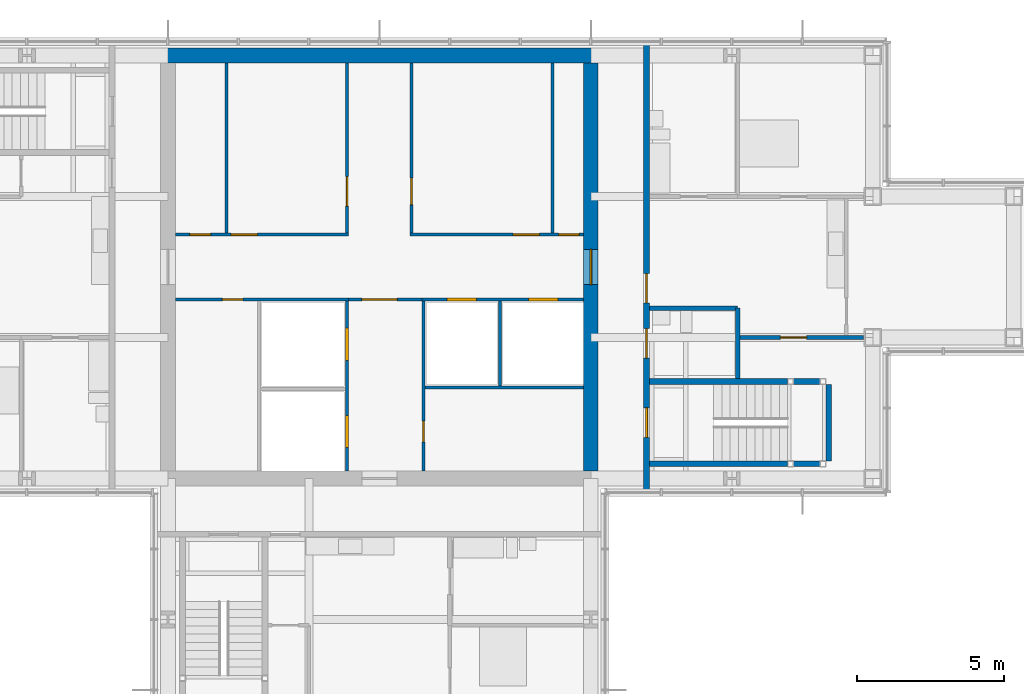
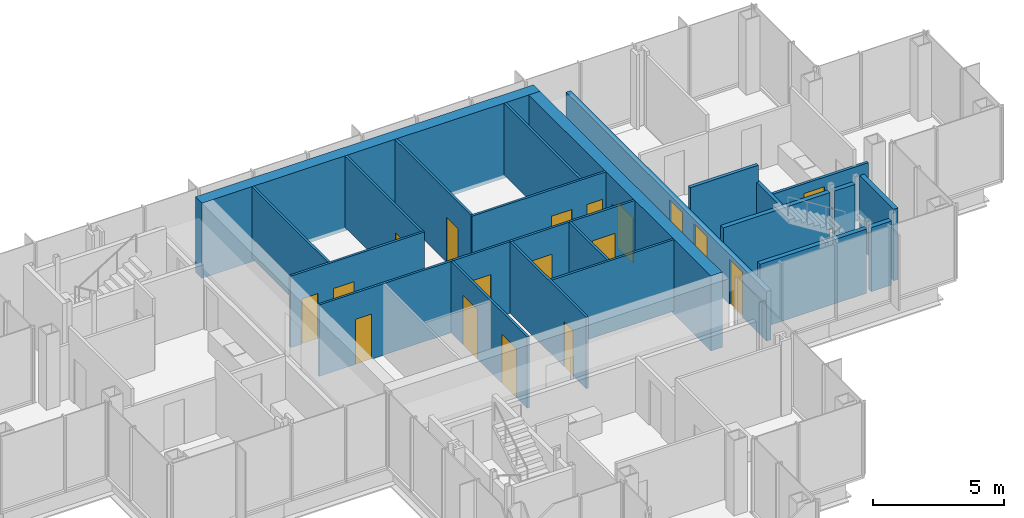
# One storey, part 11 of 15: 24 walls, 18 doors, 18 openings.
"""IFC4 building model written with IfcOpenShell, lengths in metres."""

from ifc_helpers import new_model, si_unit, direction, frame, frame_2d, origin, place, context, subcontext, project, spatial, rectangle, extrude, material, layer, layer_set, type_object, element, fill, save


model = new_model("IFC4")

# Units and contexts
model_context = context("Model", 3, precision=1e-05, world=origin(), true_north=direction((0.0, 1.0)))
body_context = subcontext(model_context, "Body", "Model", "MODEL_VIEW")
ifc_project = project(units=[si_unit("LENGTHUNIT", "METRE"), si_unit("AREAUNIT", "SQUARE_METRE"), si_unit("VOLUMEUNIT", "CUBIC_METRE"), si_unit("PLANEANGLEUNIT", "RADIAN"), si_unit("MASSUNIT", "GRAM", prefix="KILO")], contexts=[model_context])

# Site, building, storey
site_placement = place(None, origin())
site = spatial("IfcSite", under=ifc_project, at=site_placement, CompositionType="ELEMENT")
building_placement = place(site_placement, origin())
building = spatial("IfcBuilding", under=site, at=building_placement, Name="Kvirike Care Tower", CompositionType="ELEMENT")
storey_placement = place(building_placement, frame((0.0, 0.0, 198.0)))
storey = spatial("IfcBuildingStorey", under=building, at=storey_placement, Name="L54", CompositionType="ELEMENT", Elevation=198.0)

# Walls
ifc_material_1 = material(Name="Moisture-resistant board partition", Category="gypsum")
ifc_layer_1 = layer(ifc_material_1, 0.14990234375)
ifc_layer_set_1 = layer_set([ifc_layer_1], Name="BATHROOM WALL 150")
wall_type_1 = type_object("IfcWallType", Name="BATHROOM WALL 150", PredefinedType="PARTITIONING", material=ifc_layer_set_1)
wall_1_placement = place(storey_placement, frame((33.800048828125, 32.199951171875, 0.0), z_axis=(0.0, 0.0, 1.0), x_axis=(0.0, 1.0, 0.0)))
element("IfcWall", 1, at=wall_1_placement, inside=storey, type_object=wall_type_1, Name="Bathroom Wall 150 L54", PredefinedType="PARTITIONING", context=body_context, shape_type="SweptSolid", body=[
    extrude(rectangle(XDim=2.400146484375, YDim=0.14990234375, at=frame_2d((1.2001953125, 0.0))), origin(), (0.0, 0.0, 1.0), 2.550048828125),
])
wall_2_placement = place(storey_placement, frame((33.800048828125, 34.60009765625, 0.0), z_axis=(0.0, 0.0, 1.0), x_axis=(-1.0, 0.0, 0.0)))
element("IfcWall", 2, at=wall_2_placement, inside=storey, type_object=wall_type_1, Name="Bathroom Wall 150 L54", PredefinedType="PARTITIONING", context=body_context, shape_type="SweptSolid", body=[
    extrude(rectangle(XDim=3.0, YDim=0.14990234375, at=frame_2d((1.5, 0.0))), origin(), (0.0, 0.0, 1.0), 3.330078125),
])
ifc_material_2 = material(Name="Concrete C40/50", Category="concrete")
ifc_layer_2 = layer(ifc_material_2, 0.5)
ifc_layer_set_2 = layer_set([ifc_layer_2], Name="CORE WALL 500 C40-50")
wall_type_2 = type_object("IfcWallType", Name="CORE WALL 500 C40-50", PredefinedType="SHEAR", material=ifc_layer_set_2)
wall_3_placement = place(storey_placement, frame((29.050048828125, 43.199951171875, -0.169921875), z_axis=(0.0, 0.0, 1.0), x_axis=(-1.0, 0.0, 0.0)))
element("IfcWall", 3, at=wall_3_placement, inside=storey, type_object=wall_type_2, Name="Core wall N L54", PredefinedType="SHEAR", context=body_context, shape_type="SweptSolid", body=[
    extrude(rectangle(XDim=14.900146484375, YDim=0.5, at=frame_2d((7.4501953125, 0.0))), origin(), (0.0, 0.0, 1.0), 3.5),
])

# Wall, opening, door
wall_4_placement = place(storey_placement, frame((28.800048828125, 29.050048828125, -0.169921875), z_axis=(0.0, 0.0, 1.0), x_axis=(0.0, 1.0, 0.0)))
wall_4 = element("IfcWall", 4, at=wall_4_placement, inside=storey, type_object=wall_type_2, Name="Core wall E L54", PredefinedType="SHEAR", context=body_context, shape_type="SweptSolid", body=[
    extrude(rectangle(XDim=13.89990234375, YDim=0.5, at=frame_2d((6.949951171875, 0.0))), origin(), (0.0, 0.0, 1.0), 3.5),
])
opening_1_placement = place(wall_4_placement, frame((6.35009765625, 0.0, 0.169921875)))
opening_1 = element("IfcOpeningElement", 5, at=opening_1_placement, cuts=wall_4, Name="Opening 54-035", PredefinedType="OPENING", context=body_context, shape_type="SweptSolid", body=[
    extrude(rectangle(XDim=1.199951171875, YDim=2.10009765625, at=frame_2d((0.60009765625, 1.050048828125))), frame((0.0, 0.260498046875, 0.0), z_axis=(0.0, -1.0, 0.0), x_axis=(1.0, 0.0, 0.0)), (0.0, 0.0, 1.0), 0.52099609375),
])
ifc_material_3 = material(Name="Timber door set", Category="wood")
door_type_1 = type_object("IfcDoorType", Name="CORE DOOR 1200", OperationType="SINGLE_SWING_LEFT", PredefinedType="DOOR", material=ifc_material_3)
door_1_placement = place(opening_1_placement, origin())
door_1 = element("IfcDoor", 6, at=door_1_placement, inside=storey, type_object=door_type_1, Name="Core door E L54", OperationType="SINGLE_SWING_LEFT", OverallHeight=2.10009765625, OverallWidth=1.199951171875, PredefinedType="DOOR", context=body_context, shape_type="SweptSolid", body=[
    extrude(rectangle(XDim=1.199951171875, YDim=2.10009765625, at=frame_2d((0.60009765625, 1.050048828125))), frame((0.0, 0.02685546875, 0.0), z_axis=(0.0, -1.0, 0.0), x_axis=(1.0, 0.0, 0.0)), (0.0, 0.0, 1.0), 0.053955078125),
])
fill(opening_1, door_1)

# Wall, openings, doors
ifc_material_4 = material(Name="Plasterboard corridor wall", Category="gypsum")
ifc_layer_3 = layer(ifc_material_4, 0.199951171875)
ifc_layer_set_3 = layer_set([ifc_layer_3], Name="CORRIDOR WALL 200")
wall_type_3 = type_object("IfcWallType", Name="CORRIDOR WALL 200", PredefinedType="PARTITIONING", material=ifc_layer_set_3)
wall_5_placement = place(storey_placement, frame((30.699951171875, 28.344970703125, 0.0), z_axis=(0.0, 0.0, 1.0), x_axis=(0.0, 1.0, 0.0)))
wall_5 = element("IfcWall", 7, at=wall_5_placement, inside=storey, type_object=wall_type_3, Name="Corridor Wall 200 L54", PredefinedType="PARTITIONING", context=body_context, shape_type="SweptSolid", body=[
    extrude(rectangle(XDim=15.31005859375, YDim=0.199951171875, at=frame_2d((7.655029296875, 0.0))), origin(), (0.0, 0.0, 1.0), 2.320068359375),
])
opening_2_placement = place(wall_5_placement, frame((1.85498046875, 0.0, 0.0)))
opening_2 = element("IfcOpeningElement", 8, at=opening_2_placement, cuts=wall_5, Name="Opening 54-017", PredefinedType="OPENING", context=body_context, shape_type="SweptSolid", body=[
    extrude(rectangle(XDim=1.0, YDim=2.10009765625, at=frame_2d((0.5, 1.050048828125))), frame((0.0, 0.110595703125, 0.0), z_axis=(0.0, -1.0, 0.0), x_axis=(1.0, 0.0, 0.0)), (0.0, 0.0, 1.0), 0.220947265625),
])
opening_3_placement = place(wall_5_placement, frame((4.554931640625, 0.0, 0.0)))
opening_3 = element("IfcOpeningElement", 9, at=opening_3_placement, cuts=wall_5, Name="Opening 54-018", PredefinedType="OPENING", context=body_context, shape_type="SweptSolid", body=[
    extrude(rectangle(XDim=1.0, YDim=2.10009765625, at=frame_2d((0.5, 1.050048828125))), frame((0.0, 0.110595703125, 0.0), z_axis=(0.0, -1.0, 0.0), x_axis=(1.0, 0.0, 0.0)), (0.0, 0.0, 1.0), 0.220947265625),
])
opening_4_placement = place(wall_5_placement, frame((6.429931640625, 0.0, 0.0)))
opening_4 = element("IfcOpeningElement", 10, at=opening_4_placement, cuts=wall_5, Name="Opening 54-019", PredefinedType="OPENING", context=body_context, shape_type="SweptSolid", body=[
    extrude(rectangle(XDim=1.0, YDim=2.10009765625, at=frame_2d((0.5, 1.050048828125))), frame((0.0, 0.110595703125, 0.0), z_axis=(0.0, -1.0, 0.0), x_axis=(1.0, 0.0, 0.0)), (0.0, 0.0, 1.0), 0.220947265625),
])
ifc_material_5 = material(Name="Timber door set", Category="wood")
door_type_2 = type_object("IfcDoorType", Name="FLAT ENTRANCE DOOR 1000", OperationType="SINGLE_SWING_LEFT", PredefinedType="DOOR", material=ifc_material_5)
door_2_placement = place(opening_4_placement, frame((1.0, 0.0, 0.0), z_axis=(0.0, 0.0, 1.0), x_axis=(-1.0, 0.0, 0.0)))
door_2 = element("IfcDoor", 11, at=door_2_placement, inside=storey, type_object=door_type_2, Name="Two-room apartment entrance", OperationType="SINGLE_SWING_LEFT", OverallHeight=2.10009765625, OverallWidth=1.0, PredefinedType="DOOR", context=body_context, shape_type="SweptSolid", body=[
    extrude(rectangle(XDim=1.0, YDim=2.10009765625, at=frame_2d((0.5, 1.050048828125))), frame((0.0, 0.02685546875, 0.0), z_axis=(0.0, -1.0, 0.0), x_axis=(1.0, 0.0, 0.0)), (0.0, 0.0, 1.0), 0.053955078125),
])
fill(opening_4, door_2)
ifc_material_6 = material(Name="Timber door set", Category="wood")
door_type_3 = type_object("IfcDoorType", Name="STAIR DOOR 1000", OperationType="SINGLE_SWING_LEFT", PredefinedType="DOOR", material=ifc_material_6)
door_3_placement = place(opening_2_placement, frame((1.0, 0.0, 0.0), z_axis=(0.0, 0.0, 1.0), x_axis=(-1.0, 0.0, 0.0)))
door_3 = element("IfcDoor", 12, at=door_3_placement, inside=storey, type_object=door_type_3, Name="Stair 2 door", OperationType="SINGLE_SWING_LEFT", OverallHeight=2.10009765625, OverallWidth=1.0, PredefinedType="DOOR", context=body_context, shape_type="SweptSolid", body=[
    extrude(rectangle(XDim=1.0, YDim=2.10009765625, at=frame_2d((0.5, 1.050048828125))), frame((0.0, 0.031982421875, 0.0), z_axis=(0.0, -1.0, 0.0), x_axis=(1.0, 0.0, 0.0)), (0.0, 0.0, 1.0), 0.06396484375),
])
fill(opening_2, door_3)
ifc_material_7 = material(Name="Timber door set", Category="wood")
door_type_4 = type_object("IfcDoorType", Name="WC DOOR 1000", OperationType="SINGLE_SWING_LEFT", PredefinedType="DOOR", material=ifc_material_7)
door_4_placement = place(opening_3_placement, frame((1.0, 0.0, 0.0), z_axis=(0.0, 0.0, 1.0), x_axis=(-1.0, 0.0, 0.0)))
door_4 = element("IfcDoor", 13, at=door_4_placement, inside=storey, type_object=door_type_4, Name="Accessible WC door", OperationType="SINGLE_SWING_LEFT", OverallHeight=2.10009765625, OverallWidth=1.0, PredefinedType="DOOR", context=body_context, shape_type="SweptSolid", body=[
    extrude(rectangle(XDim=1.0, YDim=2.10009765625, at=frame_2d((0.5, 1.050048828125))), frame((0.0, 0.02685546875, 0.0), z_axis=(0.0, -1.0, 0.0), x_axis=(1.0, 0.0, 0.0)), (0.0, 0.0, 1.0), 0.053955078125),
])
fill(opening_3, door_4)

# Wall, opening, door
ifc_material_8 = material(Name="Plasterboard partition", Category="gypsum")
ifc_layer_4 = layer(ifc_material_8, 0.1201171875)
ifc_layer_set_4 = layer_set([ifc_layer_4], Name="PARTITION 120")
wall_type_4 = type_object("IfcWallType", Name="PARTITION 120", PredefinedType="PARTITIONING", material=ifc_layer_set_4)
wall_6_placement = place(storey_placement, frame((38.080078125, 33.60009765625, 0.0), z_axis=(0.0, 0.0, 1.0), x_axis=(-1.0, 0.0, 0.0)))
wall_6 = element("IfcWall", 14, at=wall_6_placement, inside=storey, type_object=wall_type_4, Name="Partition 120 L54", PredefinedType="PARTITIONING", context=body_context, shape_type="SweptSolid", body=[
    extrude(rectangle(XDim=4.280029296875, YDim=0.1201171875, at=frame_2d((2.14013671875, 0.0))), origin(), (0.0, 0.0, 1.0), 2.550048828125),
])
opening_5_placement = place(wall_6_placement, frame((1.929931640625, 0.0, 0.0)))
opening_5 = element("IfcOpeningElement", 15, at=opening_5_placement, cuts=wall_6, Name="Opening 54-015", PredefinedType="OPENING", context=body_context, shape_type="SweptSolid", body=[
    extrude(rectangle(XDim=0.89990234375, YDim=2.10009765625, at=frame_2d((0.449951171875, 1.050048828125))), frame((0.0, 0.070556640625, 0.0), z_axis=(0.0, -1.0, 0.0), x_axis=(1.0, 0.0, 0.0)), (0.0, 0.0, 1.0), 0.14111328125),
])
ifc_material_9 = material(Name="Timber door set", Category="wood")
door_type_5 = type_object("IfcDoorType", Name="INTERNAL DOOR 900", OperationType="SINGLE_SWING_LEFT", PredefinedType="DOOR", material=ifc_material_9)
door_5_placement = place(opening_5_placement, origin())
door_5 = element("IfcDoor", 16, at=door_5_placement, inside=storey, type_object=door_type_5, Name="Connecting door", OperationType="SINGLE_SWING_LEFT", OverallHeight=2.10009765625, OverallWidth=0.89990234375, PredefinedType="DOOR", context=body_context, shape_type="SweptSolid", body=[
    extrude(rectangle(XDim=0.89990234375, YDim=2.10009765625, at=frame_2d((0.449951171875, 1.050048828125))), frame((0.0, 0.02197265625, 0.0), z_axis=(0.0, -1.0, 0.0), x_axis=(1.0, 0.0, 0.0)), (0.0, 0.0, 1.0), 0.0439453125),
])
fill(opening_5, door_5)

# Walls
ifc_material_10 = material(Name="Gypsum shaft wall system", Category="gypsum")
ifc_layer_5 = layer(ifc_material_10, 0.10009765625)
ifc_layer_set_5 = layer_set([ifc_layer_5], Name="SHAFT WALL 100")
wall_type_5 = type_object("IfcWallType", Name="SHAFT WALL 100", PredefinedType="SOLIDWALL", material=ifc_layer_set_5)
for number, where, z_axis, x_axis, name in (
    (17, (16.39990234375, 37.14990234375, 0.0), (0.0, 0.0, 1.0), (0.0, 1.0, 0.0), "Shaft Wall 100 L54"),
    (18, (27.5, 37.14990234375, 0.0), (0.0, 0.0, 1.0), (0.0, 1.0, 0.0), "Shaft Wall 100 L54"),
):
    element("IfcWall", number, at=place(storey_placement, frame(where, z_axis=z_axis, x_axis=x_axis)), inside=storey, type_object=wall_type_5, Name=name, PredefinedType="SOLIDWALL", context=body_context, shape_type="SweptSolid", body=[
        extrude(rectangle(XDim=5.800048828125, YDim=0.10009765625, at=frame_2d((2.89990234375, 0.0))), origin(), (0.0, 0.0, 1.0), 3.330078125),
    ])

# Wall, openings, doors
wall_7_placement = place(storey_placement, frame((20.5, 29.050048828125, 0.0), z_axis=(0.0, 0.0, 1.0), x_axis=(0.0, 1.0, 0.0)))
wall_7 = element("IfcWall", 19, at=wall_7_placement, inside=storey, type_object=wall_type_5, Name="Shaft Wall 100 L54", PredefinedType="SOLIDWALL", context=body_context, shape_type="SweptSolid", body=[
    extrude(rectangle(XDim=5.800048828125, YDim=0.10009765625, at=frame_2d((2.89990234375, 0.0))), origin(), (0.0, 0.0, 1.0), 3.330078125),
])
opening_6_placement = place(wall_7_placement, frame((0.800048828125, 0.0, 0.0)))
opening_6 = element("IfcOpeningElement", 20, at=opening_6_placement, cuts=wall_7, Name="Opening 54-020", PredefinedType="OPENING", context=body_context, shape_type="SweptSolid", body=[
    extrude(rectangle(XDim=1.10009765625, YDim=2.300048828125, at=frame_2d((0.550048828125, 1.14990234375))), frame((0.0, 0.060546875, 0.0), z_axis=(0.0, -1.0, 0.0), x_axis=(1.0, 0.0, 0.0)), (0.0, 0.0, 1.0), 0.12109375),
])
opening_7_placement = place(wall_7_placement, frame((3.77490234375, 0.0, 0.0)))
opening_7 = element("IfcOpeningElement", 21, at=opening_7_placement, cuts=wall_7, Name="Opening 54-021", PredefinedType="OPENING", context=body_context, shape_type="SweptSolid", body=[
    extrude(rectangle(XDim=1.10009765625, YDim=2.300048828125, at=frame_2d((0.550048828125, 1.14990234375))), frame((0.0, 0.060546875, 0.0), z_axis=(0.0, -1.0, 0.0), x_axis=(1.0, 0.0, 0.0)), (0.0, 0.0, 1.0), 0.12109375),
])
ifc_material_11 = material(Name="Aluminium door frame", Category="aluminium")
door_type_6 = type_object("IfcDoorType", Name="FIRE-FIGHTING LIFT LANDING DOOR 1100", OperationType="SLIDING_TO_LEFT", PredefinedType="DOOR", material=ifc_material_11)
door_6_placement = place(opening_6_placement, origin())
door_6 = element("IfcDoor", 22, at=door_6_placement, inside=storey, type_object=door_type_6, Name="Lift FF1 landing door", OperationType="SLIDING_TO_LEFT", OverallHeight=2.300048828125, OverallWidth=1.10009765625, PredefinedType="DOOR", context=body_context, shape_type="SweptSolid", body=[
    extrude(rectangle(XDim=1.10009765625, YDim=2.300048828125, at=frame_2d((0.550048828125, 1.14990234375))), frame((0.0, 0.0498046875, 0.0), z_axis=(0.0, -1.0, 0.0), x_axis=(1.0, 0.0, 0.0)), (0.0, 0.0, 1.0), 0.099609375),
])
fill(opening_6, door_6)
door_7_placement = place(opening_7_placement, origin())
door_7 = element("IfcDoor", 23, at=door_7_placement, inside=storey, type_object=door_type_6, Name="Lift FF2 landing door", OperationType="SLIDING_TO_LEFT", OverallHeight=2.300048828125, OverallWidth=1.10009765625, PredefinedType="DOOR", context=body_context, shape_type="SweptSolid", body=[
    extrude(rectangle(XDim=1.10009765625, YDim=2.300048828125, at=frame_2d((0.550048828125, 1.14990234375))), frame((0.0, 0.0498046875, 0.0), z_axis=(0.0, -1.0, 0.0), x_axis=(1.0, 0.0, 0.0)), (0.0, 0.0, 1.0), 0.099609375),
])
fill(opening_7, door_7)

# Wall, opening, door
wall_8_placement = place(storey_placement, frame((20.5, 37.14990234375, 0.0), z_axis=(0.0, 0.0, 1.0), x_axis=(0.0, 1.0, 0.0)))
wall_8 = element("IfcWall", 24, at=wall_8_placement, inside=storey, type_object=wall_type_5, Name="Shaft Wall 100 L54", PredefinedType="SOLIDWALL", context=body_context, shape_type="SweptSolid", body=[
    extrude(rectangle(XDim=5.800048828125, YDim=0.10009765625, at=frame_2d((2.89990234375, 0.0))), origin(), (0.0, 0.0, 1.0), 3.330078125),
])
opening_8_placement = place(wall_8_placement, frame((0.925048828125, 0.0, 0.0)))
opening_8 = element("IfcOpeningElement", 25, at=opening_8_placement, cuts=wall_8, Name="Opening 54-022", PredefinedType="OPENING", context=body_context, shape_type="SweptSolid", body=[
    extrude(rectangle(XDim=1.0, YDim=2.10009765625, at=frame_2d((0.5, 1.050048828125))), frame((0.0, 0.060546875, 0.0), z_axis=(0.0, -1.0, 0.0), x_axis=(1.0, 0.0, 0.0)), (0.0, 0.0, 1.0), 0.12109375),
])
door_8_placement = place(opening_8_placement, origin())
door_8 = element("IfcDoor", 26, at=door_8_placement, inside=storey, type_object=door_type_4, Name="Staff WC door", OperationType="SINGLE_SWING_RIGHT", OverallHeight=2.10009765625, OverallWidth=1.0, PredefinedType="DOOR", context=body_context, shape_type="SweptSolid", body=[
    extrude(rectangle(XDim=1.0, YDim=2.10009765625, at=frame_2d((0.5, 1.050048828125))), frame((0.0, 0.02685546875, 0.0), z_axis=(0.0, -1.0, 0.0), x_axis=(1.0, 0.0, 0.0)), (0.0, 0.0, 1.0), 0.053955078125),
])
fill(opening_8, door_8)

wall_9_placement = place(storey_placement, frame((22.699951171875, 37.14990234375, 0.0), z_axis=(0.0, 0.0, 1.0), x_axis=(0.0, 1.0, 0.0)))
wall_9 = element("IfcWall", 27, at=wall_9_placement, inside=storey, type_object=wall_type_5, Name="Shaft Wall 100 L54", PredefinedType="SOLIDWALL", context=body_context, shape_type="SweptSolid", body=[
    extrude(rectangle(XDim=5.800048828125, YDim=0.10009765625, at=frame_2d((2.89990234375, 0.0))), origin(), (0.0, 0.0, 1.0), 3.330078125),
])
opening_9_placement = place(wall_9_placement, frame((0.97509765625, 0.0, 0.0)))
opening_9 = element("IfcOpeningElement", 28, at=opening_9_placement, cuts=wall_9, Name="Opening 54-023", PredefinedType="OPENING", context=body_context, shape_type="SweptSolid", body=[
    extrude(rectangle(XDim=0.89990234375, YDim=2.10009765625, at=frame_2d((0.449951171875, 1.050048828125))), frame((0.0, 0.060546875, 0.0), z_axis=(0.0, -1.0, 0.0), x_axis=(1.0, 0.0, 0.0)), (0.0, 0.0, 1.0), 0.12109375),
])
ifc_material_12 = material(Name="Timber door set", Category="wood")
door_type_7 = type_object("IfcDoorType", Name="STORE DOOR 900", OperationType="SINGLE_SWING_LEFT", PredefinedType="DOOR", material=ifc_material_12)
door_9_placement = place(opening_9_placement, frame((0.89990234375, 0.0, 0.0), z_axis=(0.0, 0.0, 1.0), x_axis=(-1.0, 0.0, 0.0)))
door_9 = element("IfcDoor", 29, at=door_9_placement, inside=storey, type_object=door_type_7, Name="Housekeeping office door", OperationType="SINGLE_SWING_LEFT", OverallHeight=2.10009765625, OverallWidth=0.89990234375, PredefinedType="DOOR", context=body_context, shape_type="SweptSolid", body=[
    extrude(rectangle(XDim=0.89990234375, YDim=2.10009765625, at=frame_2d((0.449951171875, 1.050048828125))), frame((0.0, 0.02685546875, 0.0), z_axis=(0.0, -1.0, 0.0), x_axis=(1.0, 0.0, 0.0)), (0.0, 0.0, 1.0), 0.053955078125),
])
fill(opening_9, door_9)

wall_10_placement = place(storey_placement, frame((23.10009765625, 29.050048828125, 0.0), z_axis=(0.0, 0.0, 1.0), x_axis=(0.0, 1.0, 0.0)))
wall_10 = element("IfcWall", 30, at=wall_10_placement, inside=storey, type_object=wall_type_5, Name="Shaft Wall 100 L54", PredefinedType="SOLIDWALL", context=body_context, shape_type="SweptSolid", body=[
    extrude(rectangle(XDim=5.800048828125, YDim=0.10009765625, at=frame_2d((2.89990234375, 0.0))), origin(), (0.0, 0.0, 1.0), 3.330078125),
])
opening_10_placement = place(wall_10_placement, frame((1.0, 0.0, 0.0)))
opening_10 = element("IfcOpeningElement", 31, at=opening_10_placement, cuts=wall_10, Name="Opening 54-024", PredefinedType="OPENING", context=body_context, shape_type="SweptSolid", body=[
    extrude(rectangle(XDim=0.699951171875, YDim=2.10009765625, at=frame_2d((0.35009765625, 1.050048828125))), frame((0.0, 0.060546875, 0.0), z_axis=(0.0, -1.0, 0.0), x_axis=(1.0, 0.0, 0.0)), (0.0, 0.0, 1.0), 0.12109375),
])
ifc_material_13 = material(Name="Timber door set", Category="wood")
door_type_8 = type_object("IfcDoorType", Name="RISER DOOR 700", OperationType="SINGLE_SWING_LEFT", PredefinedType="DOOR", material=ifc_material_13)
door_10_placement = place(opening_10_placement, origin())
door_10 = element("IfcDoor", 32, at=door_10_placement, inside=storey, type_object=door_type_8, Name="Riser door", OperationType="SINGLE_SWING_RIGHT", OverallHeight=2.10009765625, OverallWidth=0.699951171875, PredefinedType="DOOR", context=body_context, shape_type="SweptSolid", body=[
    extrude(rectangle(XDim=0.699951171875, YDim=2.10009765625, at=frame_2d((0.35009765625, 1.050048828125))), frame((0.0, 0.02685546875, 0.0), z_axis=(0.0, -1.0, 0.0), x_axis=(1.0, 0.0, 0.0)), (0.0, 0.0, 1.0), 0.053955078125),
])
fill(opening_10, door_10)

wall_11_placement = place(storey_placement, frame((14.64990234375, 34.89990234375, 0.0), z_axis=(0.0, 0.0, 1.0), x_axis=(1.0, 0.0, 0.0)))
wall_11 = element("IfcWall", 33, at=wall_11_placement, inside=storey, type_object=wall_type_5, Name="Shaft Wall 100 L54", PredefinedType="SOLIDWALL", context=body_context, shape_type="SweptSolid", body=[
    extrude(rectangle(XDim=5.900146484375, YDim=0.10009765625, at=frame_2d((2.9501953125, 0.0))), origin(), (0.0, 0.0, 1.0), 3.330078125),
])
opening_11_placement = place(wall_11_placement, frame((1.60009765625, 0.0, 0.0)))
opening_11 = element("IfcOpeningElement", 34, at=opening_11_placement, cuts=wall_11, Name="Opening 54-025", PredefinedType="OPENING", context=body_context, shape_type="SweptSolid", body=[
    extrude(rectangle(XDim=0.699951171875, YDim=2.10009765625, at=frame_2d((0.35009765625, 1.050048828125))), frame((0.0, 0.060546875, 0.0), z_axis=(0.0, -1.0, 0.0), x_axis=(1.0, 0.0, 0.0)), (0.0, 0.0, 1.0), 0.12109375),
])
door_11_placement = place(opening_11_placement, frame((0.699951171875, 0.0, 0.0), z_axis=(0.0, 0.0, 1.0), x_axis=(-1.0, 0.0, 0.0)))
door_11 = element("IfcDoor", 35, at=door_11_placement, inside=storey, type_object=door_type_8, Name="Riser door", OperationType="SINGLE_SWING_RIGHT", OverallHeight=2.10009765625, OverallWidth=0.699951171875, PredefinedType="DOOR", context=body_context, shape_type="SweptSolid", body=[
    extrude(rectangle(XDim=0.699951171875, YDim=2.10009765625, at=frame_2d((0.35009765625, 1.050048828125))), frame((0.0, 0.02685546875, 0.0), z_axis=(0.0, -1.0, 0.0), x_axis=(1.0, 0.0, 0.0)), (0.0, 0.0, 1.0), 0.053955078125),
])
fill(opening_11, door_11)

# Wall, openings, doors
wall_12_placement = place(storey_placement, frame((23.050048828125, 34.89990234375, 0.0), z_axis=(0.0, 0.0, 1.0), x_axis=(1.0, 0.0, 0.0)))
wall_12 = element("IfcWall", 36, at=wall_12_placement, inside=storey, type_object=wall_type_5, Name="Shaft Wall 100 L54", PredefinedType="SOLIDWALL", context=body_context, shape_type="SweptSolid", body=[
    extrude(rectangle(XDim=5.5, YDim=0.10009765625, at=frame_2d((2.75, 0.0))), origin(), (0.0, 0.0, 1.0), 3.330078125),
])
opening_12_placement = place(wall_12_placement, frame((0.85009765625, 0.0, 0.0)))
opening_12 = element("IfcOpeningElement", 37, at=opening_12_placement, cuts=wall_12, Name="Opening 54-026", PredefinedType="OPENING", context=body_context, shape_type="SweptSolid", body=[
    extrude(rectangle(XDim=1.0, YDim=2.10009765625, at=frame_2d((0.5, 1.050048828125))), frame((0.0, 0.060546875, 0.0), z_axis=(0.0, -1.0, 0.0), x_axis=(1.0, 0.0, 0.0)), (0.0, 0.0, 1.0), 0.12109375),
])
opening_13_placement = place(wall_12_placement, frame((3.625, 0.0, 0.0)))
opening_13 = element("IfcOpeningElement", 38, at=opening_13_placement, cuts=wall_12, Name="Opening 54-027", PredefinedType="OPENING", context=body_context, shape_type="SweptSolid", body=[
    extrude(rectangle(XDim=1.0, YDim=2.10009765625, at=frame_2d((0.5, 1.050048828125))), frame((0.0, 0.060546875, 0.0), z_axis=(0.0, -1.0, 0.0), x_axis=(1.0, 0.0, 0.0)), (0.0, 0.0, 1.0), 0.12109375),
])
ifc_material_14 = material(Name="Aluminium door frame", Category="aluminium")
door_type_9 = type_object("IfcDoorType", Name="LIFT LANDING DOOR 1000", OperationType="SLIDING_TO_LEFT", PredefinedType="DOOR", material=ifc_material_14)
door_12_placement = place(opening_12_placement, origin())
door_12 = element("IfcDoor", 39, at=door_12_placement, inside=storey, type_object=door_type_9, Name="Lift P5 landing door", OperationType="SLIDING_TO_LEFT", OverallHeight=2.10009765625, OverallWidth=1.0, PredefinedType="DOOR", context=body_context, shape_type="SweptSolid", body=[
    extrude(rectangle(XDim=1.0, YDim=2.10009765625, at=frame_2d((0.5, 1.050048828125))), frame((0.0, 0.0498046875, 0.0), z_axis=(0.0, -1.0, 0.0), x_axis=(1.0, 0.0, 0.0)), (0.0, 0.0, 1.0), 0.099609375),
])
fill(opening_12, door_12)
door_13_placement = place(opening_13_placement, origin())
door_13 = element("IfcDoor", 40, at=door_13_placement, inside=storey, type_object=door_type_9, Name="Lift P6 landing door", OperationType="SLIDING_TO_LEFT", OverallHeight=2.10009765625, OverallWidth=1.0, PredefinedType="DOOR", context=body_context, shape_type="SweptSolid", body=[
    extrude(rectangle(XDim=1.0, YDim=2.10009765625, at=frame_2d((0.5, 1.050048828125))), frame((0.0, 0.0498046875, 0.0), z_axis=(0.0, -1.0, 0.0), x_axis=(1.0, 0.0, 0.0)), (0.0, 0.0, 1.0), 0.099609375),
])
fill(opening_13, door_13)

wall_13_placement = place(storey_placement, frame((14.64990234375, 37.10009765625, 0.0), z_axis=(0.0, 0.0, 1.0), x_axis=(1.0, 0.0, 0.0)))
wall_13 = element("IfcWall", 41, at=wall_13_placement, inside=storey, type_object=wall_type_5, Name="Shaft Wall 100 L54", PredefinedType="SOLIDWALL", context=body_context, shape_type="SweptSolid", body=[
    extrude(rectangle(XDim=5.900146484375, YDim=0.10009765625, at=frame_2d((2.9501953125, 0.0))), origin(), (0.0, 0.0, 1.0), 3.330078125),
])
opening_14_placement = place(wall_13_placement, frame((0.5, 0.0, 0.0)))
opening_14 = element("IfcOpeningElement", 42, at=opening_14_placement, cuts=wall_13, Name="Opening 54-028", PredefinedType="OPENING", context=body_context, shape_type="SweptSolid", body=[
    extrude(rectangle(XDim=0.699951171875, YDim=2.10009765625, at=frame_2d((0.35009765625, 1.050048828125))), frame((0.0, 0.060546875, 0.0), z_axis=(0.0, -1.0, 0.0), x_axis=(1.0, 0.0, 0.0)), (0.0, 0.0, 1.0), 0.12109375),
])
opening_15_placement = place(wall_13_placement, frame((1.89990234375, 0.0, 0.0)))
opening_15 = element("IfcOpeningElement", 43, at=opening_15_placement, cuts=wall_13, Name="Opening 54-029", PredefinedType="OPENING", context=body_context, shape_type="SweptSolid", body=[
    extrude(rectangle(XDim=0.89990234375, YDim=2.10009765625, at=frame_2d((0.449951171875, 1.050048828125))), frame((0.0, 0.060546875, 0.0), z_axis=(0.0, -1.0, 0.0), x_axis=(1.0, 0.0, 0.0)), (0.0, 0.0, 1.0), 0.12109375),
])
door_14_placement = place(opening_14_placement, origin())
door_14 = element("IfcDoor", 44, at=door_14_placement, inside=storey, type_object=door_type_8, Name="Riser door", OperationType="SINGLE_SWING_RIGHT", OverallHeight=2.10009765625, OverallWidth=0.699951171875, PredefinedType="DOOR", context=body_context, shape_type="SweptSolid", body=[
    extrude(rectangle(XDim=0.699951171875, YDim=2.10009765625, at=frame_2d((0.35009765625, 1.050048828125))), frame((0.0, 0.02685546875, 0.0), z_axis=(0.0, -1.0, 0.0), x_axis=(1.0, 0.0, 0.0)), (0.0, 0.0, 1.0), 0.053955078125),
])
fill(opening_14, door_14)
door_15_placement = place(opening_15_placement, origin())
door_15 = element("IfcDoor", 45, at=door_15_placement, inside=storey, type_object=door_type_7, Name="Staff changing room door", OperationType="SINGLE_SWING_RIGHT", OverallHeight=2.10009765625, OverallWidth=0.89990234375, PredefinedType="DOOR", context=body_context, shape_type="SweptSolid", body=[
    extrude(rectangle(XDim=0.89990234375, YDim=2.10009765625, at=frame_2d((0.449951171875, 1.050048828125))), frame((0.0, 0.02685546875, 0.0), z_axis=(0.0, -1.0, 0.0), x_axis=(1.0, 0.0, 0.0)), (0.0, 0.0, 1.0), 0.053955078125),
])
fill(opening_15, door_15)

wall_14_placement = place(storey_placement, frame((22.64990234375, 37.10009765625, 0.0), z_axis=(0.0, 0.0, 1.0), x_axis=(1.0, 0.0, 0.0)))
wall_14 = element("IfcWall", 46, at=wall_14_placement, inside=storey, type_object=wall_type_5, Name="Shaft Wall 100 L54", PredefinedType="SOLIDWALL", context=body_context, shape_type="SweptSolid", body=[
    extrude(rectangle(XDim=5.900146484375, YDim=0.10009765625, at=frame_2d((2.9501953125, 0.0))), origin(), (0.0, 0.0, 1.0), 3.330078125),
])
opening_16_placement = place(wall_14_placement, frame((3.5, 0.0, 0.0)))
opening_16 = element("IfcOpeningElement", 47, at=opening_16_placement, cuts=wall_14, Name="Opening 54-030", PredefinedType="OPENING", context=body_context, shape_type="SweptSolid", body=[
    extrude(rectangle(XDim=0.89990234375, YDim=2.10009765625, at=frame_2d((0.449951171875, 1.050048828125))), frame((0.0, 0.060546875, 0.0), z_axis=(0.0, -1.0, 0.0), x_axis=(1.0, 0.0, 0.0)), (0.0, 0.0, 1.0), 0.12109375),
])
opening_17_placement = place(wall_14_placement, frame((5.050048828125, 0.0, 0.0)))
opening_17 = element("IfcOpeningElement", 48, at=opening_17_placement, cuts=wall_14, Name="Opening 54-031", PredefinedType="OPENING", context=body_context, shape_type="SweptSolid", body=[
    extrude(rectangle(XDim=0.699951171875, YDim=2.10009765625, at=frame_2d((0.35009765625, 1.050048828125))), frame((0.0, 0.060546875, 0.0), z_axis=(0.0, -1.0, 0.0), x_axis=(1.0, 0.0, 0.0)), (0.0, 0.0, 1.0), 0.12109375),
])
door_16_placement = place(opening_17_placement, origin())
door_16 = element("IfcDoor", 49, at=door_16_placement, inside=storey, type_object=door_type_8, Name="Riser door", OperationType="SINGLE_SWING_LEFT", OverallHeight=2.10009765625, OverallWidth=0.699951171875, PredefinedType="DOOR", context=body_context, shape_type="SweptSolid", body=[
    extrude(rectangle(XDim=0.699951171875, YDim=2.10009765625, at=frame_2d((0.35009765625, 1.050048828125))), frame((0.0, 0.02685546875, 0.0), z_axis=(0.0, -1.0, 0.0), x_axis=(1.0, 0.0, 0.0)), (0.0, 0.0, 1.0), 0.053955078125),
])
fill(opening_17, door_16)
door_17_placement = place(opening_16_placement, origin())
door_17 = element("IfcDoor", 50, at=door_17_placement, inside=storey, type_object=door_type_7, Name="Housekeeping office door", OperationType="SINGLE_SWING_LEFT", OverallHeight=2.10009765625, OverallWidth=0.89990234375, PredefinedType="DOOR", context=body_context, shape_type="SweptSolid", body=[
    extrude(rectangle(XDim=0.89990234375, YDim=2.10009765625, at=frame_2d((0.449951171875, 1.050048828125))), frame((0.0, 0.02685546875, 0.0), z_axis=(0.0, -1.0, 0.0), x_axis=(1.0, 0.0, 0.0)), (0.0, 0.0, 1.0), 0.053955078125),
])
fill(opening_16, door_17)

# Wall, opening, door
wall_15_placement = place(storey_placement, frame((20.550048828125, 34.89990234375, 0.0), z_axis=(0.0, 0.0, 1.0), x_axis=(1.0, 0.0, 0.0)))
wall_15 = element("IfcWall", 51, at=wall_15_placement, inside=storey, type_object=wall_type_5, Name="Shaft Wall 100 L54", PredefinedType="SOLIDWALL", context=body_context, shape_type="SweptSolid", body=[
    extrude(rectangle(XDim=2.5, YDim=0.10009765625, at=frame_2d((1.25, 0.0))), origin(), (0.0, 0.0, 1.0), 3.330078125),
])
opening_18_placement = place(wall_15_placement, frame((0.449951171875, 0.0, 0.0)))
opening_18 = element("IfcOpeningElement", 52, at=opening_18_placement, cuts=wall_15, Name="Opening 54-032", PredefinedType="OPENING", context=body_context, shape_type="SweptSolid", body=[
    extrude(rectangle(XDim=1.199951171875, YDim=2.10009765625, at=frame_2d((0.60009765625, 1.050048828125))), frame((0.0, 0.060546875, 0.0), z_axis=(0.0, -1.0, 0.0), x_axis=(1.0, 0.0, 0.0)), (0.0, 0.0, 1.0), 0.12109375),
])
door_18_placement = place(opening_18_placement, frame((1.199951171875, 0.0, 0.0), z_axis=(0.0, 0.0, 1.0), x_axis=(-1.0, 0.0, 0.0)))
door_18 = element("IfcDoor", 53, at=door_18_placement, inside=storey, type_object=door_type_1, Name="Fire-fighting lobby door", OperationType="SINGLE_SWING_LEFT", OverallHeight=2.10009765625, OverallWidth=1.199951171875, PredefinedType="DOOR", context=body_context, shape_type="SweptSolid", body=[
    extrude(rectangle(XDim=1.199951171875, YDim=2.10009765625, at=frame_2d((0.60009765625, 1.050048828125))), frame((0.0, 0.02685546875, 0.0), z_axis=(0.0, -1.0, 0.0), x_axis=(1.0, 0.0, 0.0)), (0.0, 0.0, 1.0), 0.053955078125),
])
fill(opening_18, door_18)

# Walls
wall_16_placement = place(storey_placement, frame((25.699951171875, 31.949951171875, 0.0), z_axis=(0.0, 0.0, 1.0), x_axis=(0.0, 1.0, 0.0)))
element("IfcWall", 54, at=wall_16_placement, inside=storey, type_object=wall_type_5, Name="Shaft Wall 100 L54", PredefinedType="SOLIDWALL", context=body_context, shape_type="SweptSolid", body=[
    extrude(rectangle(XDim=2.900146484375, YDim=0.10009765625, at=frame_2d((1.4501953125, 0.0))), origin(), (0.0, 0.0, 1.0), 3.330078125),
])
wall_17_placement = place(storey_placement, frame((23.14990234375, 31.89990234375, 0.0), z_axis=(0.0, 0.0, 1.0), x_axis=(1.0, 0.0, 0.0)))
element("IfcWall", 55, at=wall_17_placement, inside=storey, type_object=wall_type_5, Name="Shaft Wall 100 L54", PredefinedType="SOLIDWALL", context=body_context, shape_type="SweptSolid", body=[
    extrude(rectangle(XDim=5.400146484375, YDim=0.10009765625, at=frame_2d((2.7001953125, 0.0))), origin(), (0.0, 0.0, 1.0), 3.330078125),
])
ifc_material_15 = material(Name="Concrete C40/50", Category="concrete")
ifc_layer_6 = layer(ifc_material_15, 0.199951171875)
ifc_layer_set_6 = layer_set([ifc_layer_6], Name="STAIR WALL 200")
wall_type_6 = type_object("IfcWallType", Name="STAIR WALL 200", PredefinedType="SOLIDWALL", material=ifc_layer_set_6)
wall_18_placement = place(storey_placement, frame((36.60009765625, 29.300048828125, 0.0), z_axis=(0.0, 0.0, 1.0), x_axis=(-1.0, 0.0, 0.0)))
element("IfcWall", 56, at=wall_18_placement, inside=storey, type_object=wall_type_6, Name="Stair Wall 200 L54", PredefinedType="SOLIDWALL", context=body_context, shape_type="SweptSolid", body=[
    extrude(rectangle(XDim=0.900146484375, YDim=0.199951171875, at=frame_2d((0.4501953125, 0.0))), origin(), (0.0, 0.0, 1.0), 2.989990234375),
])
wall_19_placement = place(storey_placement, frame((35.5, 29.300048828125, 0.0), z_axis=(0.0, 0.0, 1.0), x_axis=(-1.0, 0.0, 0.0)))
element("IfcWall", 57, at=wall_19_placement, inside=storey, type_object=wall_type_6, Name="Stair Wall 200 L54", PredefinedType="SOLIDWALL", context=body_context, shape_type="SweptSolid", body=[
    extrude(rectangle(XDim=4.699951171875, YDim=0.199951171875, at=frame_2d((2.35009765625, 0.0))), origin(), (0.0, 0.0, 1.0), 2.989990234375),
])
wall_20_placement = place(storey_placement, frame((36.60009765625, 32.10009765625, 0.0), z_axis=(0.0, 0.0, 1.0), x_axis=(-1.0, 0.0, 0.0)))
element("IfcWall", 58, at=wall_20_placement, inside=storey, type_object=wall_type_6, Name="Stair Wall 200 L54", PredefinedType="SOLIDWALL", context=body_context, shape_type="SweptSolid", body=[
    extrude(rectangle(XDim=0.900146484375, YDim=0.199951171875, at=frame_2d((0.4501953125, 0.0))), origin(), (0.0, 0.0, 1.0), 2.989990234375),
])
wall_21_placement = place(storey_placement, frame((35.5, 32.10009765625, 0.0), z_axis=(0.0, 0.0, 1.0), x_axis=(-1.0, 0.0, 0.0)))
element("IfcWall", 59, at=wall_21_placement, inside=storey, type_object=wall_type_6, Name="Stair Wall 200 L54", PredefinedType="SOLIDWALL", context=body_context, shape_type="SweptSolid", body=[
    extrude(rectangle(XDim=4.699951171875, YDim=0.199951171875, at=frame_2d((2.35009765625, 0.0))), origin(), (0.0, 0.0, 1.0), 2.989990234375),
])
wall_22_placement = place(storey_placement, frame((36.89990234375, 29.39990234375, 0.0), z_axis=(0.0, 0.0, 1.0), x_axis=(0.0, 1.0, 0.0)))
element("IfcWall", 60, at=wall_22_placement, inside=storey, type_object=wall_type_6, Name="Stair Wall 200 L54", PredefinedType="SOLIDWALL", context=body_context, shape_type="SweptSolid", body=[
    extrude(rectangle(XDim=2.60009765625, YDim=0.199951171875, at=frame_2d((1.300048828125, 0.0))), origin(), (0.0, 0.0, 1.0), 3.330078125),
])

save(model, "model.ifc")
